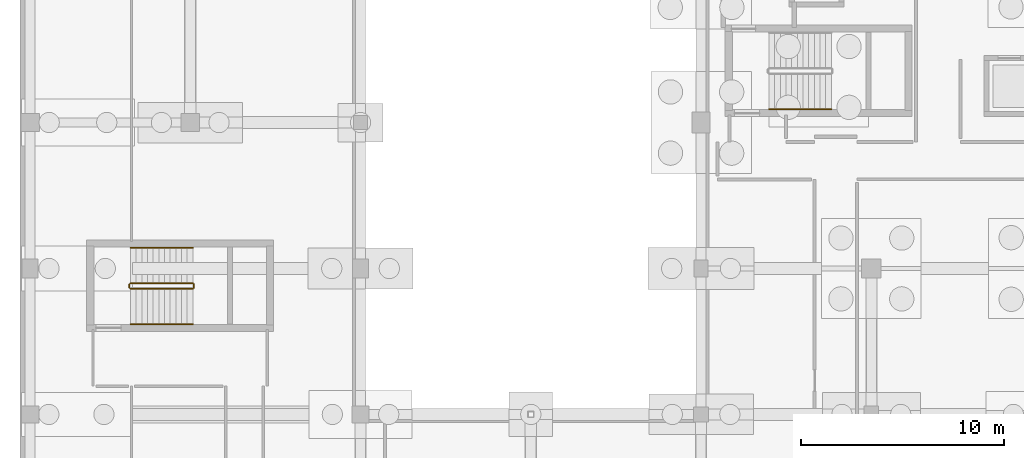
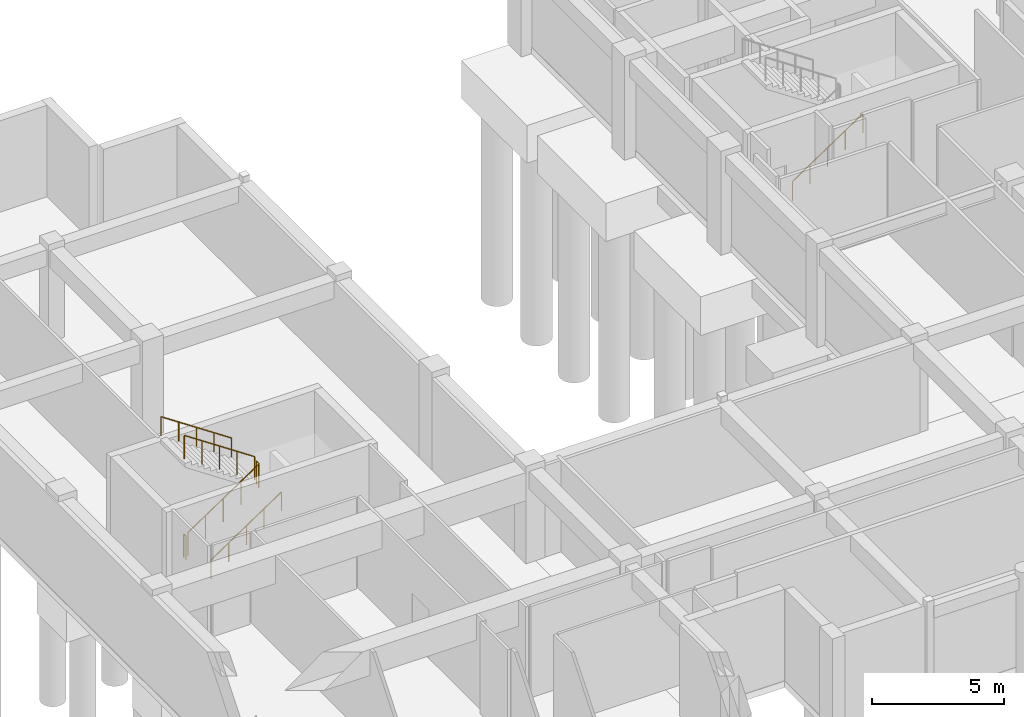
# One storey, part 39 of 42: 7 railings.
"""IFC4 building model written with IfcOpenShell, lengths in metres."""

from ifc_helpers import new_model, si_unit, direction, frame, origin, origin_2d, place, context, subcontext, project, spatial, circle, extrude, material, type_object, element, save


model = new_model("IFC4")

# Units and contexts
model_context = context("Model", 3, precision=1e-05, world=origin(), true_north=direction((0.0, 1.0)))
body_context = subcontext(model_context, "Body", "Model", "MODEL_VIEW")
ifc_project = project(units=[si_unit("LENGTHUNIT", "METRE"), si_unit("AREAUNIT", "SQUARE_METRE"), si_unit("VOLUMEUNIT", "CUBIC_METRE"), si_unit("PLANEANGLEUNIT", "RADIAN"), si_unit("MASSUNIT", "GRAM", prefix="KILO")], contexts=[model_context])

# Site, building, storey
site_placement = place(None, origin())
site = spatial("IfcSite", under=ifc_project, at=site_placement, CompositionType="ELEMENT")
building_placement = place(site_placement, origin())
building = spatial("IfcBuilding", under=site, at=building_placement, Name="Quendrovan Civic Courthouse", CompositionType="ELEMENT")
storey_placement = place(building_placement, frame((0.0, 0.0, -4.5)))
storey = spatial("IfcBuildingStorey", under=building, at=storey_placement, Name="B1", CompositionType="ELEMENT", Elevation=-4.5)

# Railings
ifc_material_1 = material(Name="Painted galvanized steel", Category="steel")
railing_type_1 = type_object("IfcRailingType", Name="RL-STR-GUARD1100", PredefinedType="GUARDRAIL", material=ifc_material_1)
railing_1_placement = place(storey_placement, frame((5.449951171875, 86.60009765625, 0.1875)))
element("IfcRailing", 1, at=railing_1_placement, inside=storey, type_object=railing_type_1, Name="B1 ST8 stair guard 1", PredefinedType="GUARDRAIL", context=body_context, shape_type="SweptSolid", body=[
    extrude(circle(Radius=0.02392578125, at=origin_2d()), frame((0.0, 0.0, 1.076171875), z_axis=(0.830913701846, 0.0, 0.55640131208), x_axis=(0.0, 1.0, 0.0)), (0.0, 0.0, 1.0), 3.706787109375),
    extrude(circle(Radius=0.02099609375, at=origin_2d()), origin(), (0.0, 0.0, 1.0), 1.052001953125),
    extrude(circle(Radius=0.02099609375, at=origin_2d()), frame((0.77001953125, 0.0, 0.515625)), (0.0, 0.0, 1.0), 1.052001953125),
    extrude(circle(Radius=0.02099609375, at=origin_2d()), frame((1.5400390625, 0.0, 1.03125)), (0.0, 0.0, 1.0), 1.052001953125),
    extrude(circle(Radius=0.02099609375, at=origin_2d()), frame((2.31005859375, 0.0, 1.546875)), (0.0, 0.0, 1.0), 1.052001953125),
    extrude(circle(Radius=0.02099609375, at=origin_2d()), frame((3.080078125, 0.0, 2.0625)), (0.0, 0.0, 1.0), 1.052001953125),
])
railing_2_placement = place(storey_placement, frame((8.580078125, 86.64990234375, 2.25)))
element("IfcRailing", 2, at=railing_2_placement, inside=storey, type_object=railing_type_1, Name="B1 ST8 stair guard 2", PredefinedType="GUARDRAIL", context=body_context, shape_type="SweptSolid", body=[
    extrude(circle(Radius=0.02392578125, at=origin_2d()), frame((0.0, 0.0, 1.076171875), z_axis=(0.0, 1.0, 0.0), x_axis=(-1.0, 0.0, 0.0)), (0.0, 0.0, 1.0), 0.18017578125),
    extrude(circle(Radius=0.02099609375, at=origin_2d()), origin(), (0.0, 0.0, 1.0), 1.052001953125),
    extrude(circle(Radius=0.02099609375, at=origin_2d()), frame((0.0, 0.18017578125, 0.0)), (0.0, 0.0, 1.0), 1.052001953125),
])
railing_3_placement = place(storey_placement, frame((8.530029296875, 86.8798828125, 2.4375)))
element("IfcRailing", 3, at=railing_3_placement, inside=storey, type_object=railing_type_1, Name="B1 ST8 stair guard 3", PredefinedType="GUARDRAIL", context=body_context, shape_type="SweptSolid", body=[
    extrude(circle(Radius=0.02392578125, at=origin_2d()), frame((0.0, 0.0, 1.076171875), z_axis=(-0.830913701846, 0.0, 0.55640131208), x_axis=(0.0, -1.0, 0.0)), (0.0, 0.0, 1.0), 3.706787109375),
    extrude(circle(Radius=0.02099609375, at=origin_2d()), origin(), (0.0, 0.0, 1.0), 1.052001953125),
    extrude(circle(Radius=0.02099609375, at=origin_2d()), frame((-0.77001953125, 0.0, 0.515625)), (0.0, 0.0, 1.0), 1.052001953125),
    extrude(circle(Radius=0.02099609375, at=origin_2d()), frame((-1.5400390625, 0.0, 1.03125)), (0.0, 0.0, 1.0), 1.052001953125),
    extrude(circle(Radius=0.02099609375, at=origin_2d()), frame((-2.31005859375, 0.0, 1.546875)), (0.0, 0.0, 1.0), 1.052001953125),
    extrude(circle(Radius=0.02099609375, at=origin_2d()), frame((-3.080078125, 0.0, 2.0625)), (0.0, 0.0, 1.0), 1.052001953125),
])
railing_4_placement = place(storey_placement, frame((5.39990234375, 86.64990234375, 0.0)))
element("IfcRailing", 4, at=railing_4_placement, inside=storey, type_object=railing_type_1, Name="B1 ST8 stair guard 4", PredefinedType="GUARDRAIL", context=body_context, shape_type="SweptSolid", body=[
    extrude(circle(Radius=0.02392578125, at=origin_2d()), frame((0.0, 0.0, 1.076171875), z_axis=(0.0, 1.0, 0.0), x_axis=(-1.0, 0.0, 0.0)), (0.0, 0.0, 1.0), 0.18017578125),
    extrude(circle(Radius=0.02099609375, at=origin_2d()), origin(), (0.0, 0.0, 1.0), 1.052001953125),
    extrude(circle(Radius=0.02099609375, at=origin_2d()), frame((0.0, 0.18017578125, 0.0)), (0.0, 0.0, 1.0), 1.052001953125),
])
ifc_material_2 = material(Name="Bronze anodised aluminium", Category="aluminium")
railing_type_2 = type_object("IfcRailingType", Name="RL-STR-HAND900", PredefinedType="HANDRAIL", material=ifc_material_2)
for number, where, name in (
    (5, (36.949951171875, 95.449951171875, 0.1875), "B1 ST1 stair handrail 1"),
    (6, (5.449951171875, 84.85009765625, 0.1875), "B1 ST8 stair handrail 1"),
):
    element("IfcRailing", number, at=place(storey_placement, frame(where)), inside=storey, type_object=railing_type_2, Name=name, PredefinedType="HANDRAIL", context=body_context, shape_type="SweptSolid", body=[
        extrude(circle(Radius=0.02392578125, at=origin_2d()), frame((0.0, 0.0, 0.8759765625), z_axis=(0.830913701846, 0.0, 0.55640131208), x_axis=(0.0, 1.0, 0.0)), (0.0, 0.0, 1.0), 3.706787109375),
        extrude(circle(Radius=0.02099609375, at=origin_2d()), origin(), (0.0, 0.0, 1.0), 0.851806640625),
        extrude(circle(Radius=0.02099609375, at=origin_2d()), frame((0.77001953125, 0.0, 0.515625)), (0.0, 0.0, 1.0), 0.851806640625),
        extrude(circle(Radius=0.02099609375, at=origin_2d()), frame((1.5400390625, 0.0, 1.03125)), (0.0, 0.0, 1.0), 0.851806640625),
        extrude(circle(Radius=0.02099609375, at=origin_2d()), frame((2.31005859375, 0.0, 1.546875)), (0.0, 0.0, 1.0), 0.851806640625),
        extrude(circle(Radius=0.02099609375, at=origin_2d()), frame((3.080078125, 0.0, 2.0625)), (0.0, 0.0, 1.0), 0.851806640625),
    ])
railing_5_placement = place(storey_placement, frame((8.530029296875, 88.6298828125, 2.4375)))
element("IfcRailing", 7, at=railing_5_placement, inside=storey, type_object=railing_type_2, Name="B1 ST8 stair handrail 2", PredefinedType="HANDRAIL", context=body_context, shape_type="SweptSolid", body=[
    extrude(circle(Radius=0.02392578125, at=origin_2d()), frame((0.0, 0.0, 0.8759765625), z_axis=(-0.830913701846, 0.0, 0.55640131208), x_axis=(0.0, -1.0, 0.0)), (0.0, 0.0, 1.0), 3.706787109375),
    extrude(circle(Radius=0.02099609375, at=origin_2d()), origin(), (0.0, 0.0, 1.0), 0.851806640625),
    extrude(circle(Radius=0.02099609375, at=origin_2d()), frame((-0.77001953125, 0.0, 0.515625)), (0.0, 0.0, 1.0), 0.851806640625),
    extrude(circle(Radius=0.02099609375, at=origin_2d()), frame((-1.5400390625, 0.0, 1.03125)), (0.0, 0.0, 1.0), 0.851806640625),
    extrude(circle(Radius=0.02099609375, at=origin_2d()), frame((-2.31005859375, 0.0, 1.546875)), (0.0, 0.0, 1.0), 0.851806640625),
    extrude(circle(Radius=0.02099609375, at=origin_2d()), frame((-3.080078125, 0.0, 2.0625)), (0.0, 0.0, 1.0), 0.851806640625),
])

save(model, "model.ifc")
